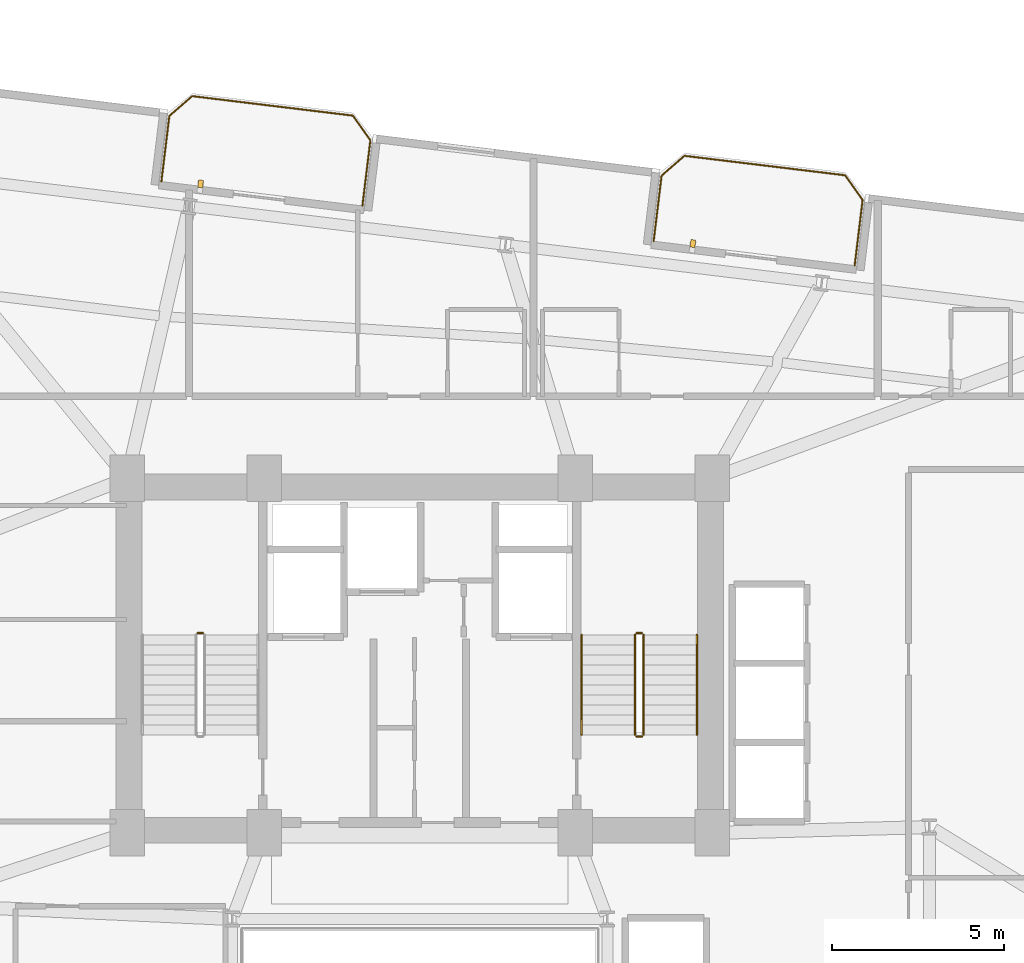
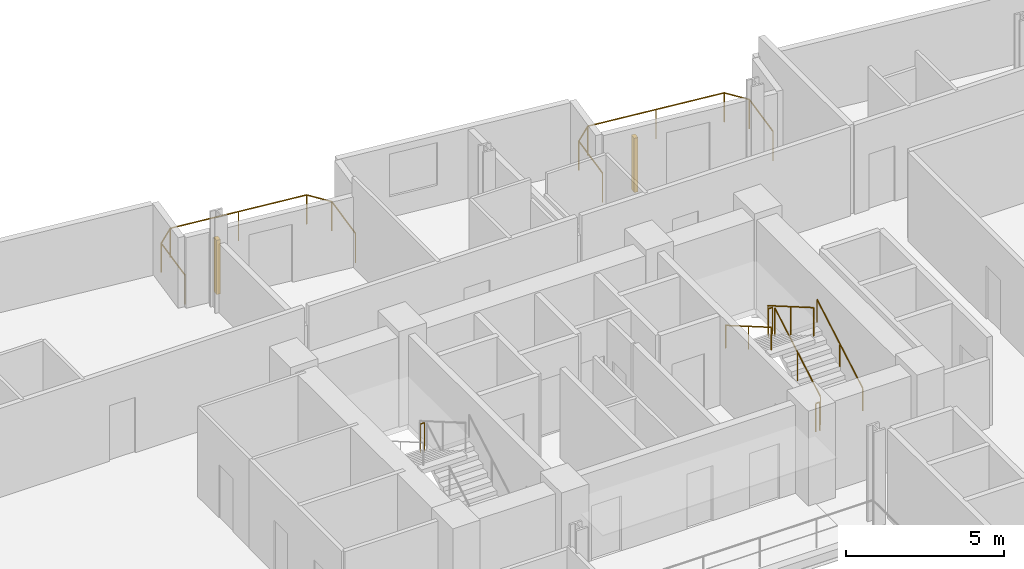
# One storey, part 26 of 26: 9 railings, 2 shading devices.
"""IFC4 building model written with IfcOpenShell, lengths in metres."""

from ifc_helpers import new_model, si_unit, direction, frame, origin, origin_2d, place, context, subcontext, project, spatial, rectangle, circle, extrude, source, transform, mapped, material, type_object, element, save


model = new_model("IFC4")

# Units and contexts
model_context = context("Model", 3, precision=1e-05, world=origin(), true_north=direction((0.0, 1.0)))
body_context = subcontext(model_context, "Body", "Model", "MODEL_VIEW")
ifc_project = project(units=[si_unit("LENGTHUNIT", "METRE"), si_unit("AREAUNIT", "SQUARE_METRE"), si_unit("VOLUMEUNIT", "CUBIC_METRE"), si_unit("PLANEANGLEUNIT", "RADIAN"), si_unit("MASSUNIT", "GRAM", prefix="KILO")], contexts=[model_context])

# Site, building, storey
site_placement = place(None, origin())
site = spatial("IfcSite", under=ifc_project, at=site_placement, CompositionType="ELEMENT")
building_placement = place(site_placement, origin())
building = spatial("IfcBuilding", under=site, at=building_placement, Name="Varnelok Gate Tower", CompositionType="ELEMENT")
storey_placement = place(building_placement, frame((0.0, 0.0, 129.10009765625)))
storey = spatial("IfcBuildingStorey", under=building, at=storey_placement, Name="L32", CompositionType="ELEMENT", Elevation=129.10009765625)

# Railings
ifc_material_1 = material(Name="Low-E Laminated Double Glazing IGU", Category="glass")
railing_type_1 = type_object("IfcRailingType", Name="RL-BALC-1150", PredefinedType="BALUSTRADE", material=ifc_material_1)
railing_1_placement = place(storey_placement, frame((31.697021484375, 47.66552734375, 0.0)))
element("IfcRailing", 1, at=railing_1_placement, inside=storey, type_object=railing_type_1, Name="L32 North Terrace Balustrade 3", PredefinedType="BALUSTRADE", context=body_context, shape_type="SweptSolid", body=[
    extrude(circle(Radius=0.02392578125, at=origin_2d()), frame((0.0, 0.0, 1.1259765625), z_axis=(0.120293392036, 0.992738384386, 0.0), x_axis=(-0.992738384386, 0.120293392036, 0.0)), (0.0, 0.0, 1.0), 1.919921875),
    extrude(circle(Radius=0.02392578125, at=origin_2d()), frame((0.23095703125, 1.906005859375, 1.1259765625), z_axis=(0.756422670136, 0.654083132411, 0.0), x_axis=(-0.654083132411, 0.756422670136, 0.0)), (0.0, 0.0, 1.0), 0.8779296875),
    extrude(circle(Radius=0.02392578125, at=origin_2d()), frame((0.89501953125, 2.480224609375, 1.1259765625), z_axis=(0.992730585037, -0.120357739811, 0.0), x_axis=(0.120357739811, 0.992730585037, 0.0)), (0.0, 0.0, 1.0), 4.699951171875),
    extrude(circle(Radius=0.02392578125, at=origin_2d()), frame((5.560791015625, 1.91455078125, 1.1259765625), z_axis=(0.578287426437, -0.81583310329, 0.0), x_axis=(0.81583310329, 0.578287426437, 0.0)), (0.0, 0.0, 1.0), 0.877685546875),
    extrude(circle(Radius=0.02392578125, at=origin_2d()), frame((6.068359375, 1.198486328125, 1.1259765625), z_axis=(-0.120418709125, -0.992723191274, 0.0), x_axis=(0.992723191274, -0.120418709125, 0.0)), (0.0, 0.0, 1.0), 1.919921875),
    extrude(circle(Radius=0.02099609375, at=origin_2d()), origin(), (0.0, 0.0, 1.0), 1.101806640625),
    extrude(circle(Radius=0.02099609375, at=origin_2d()), frame((0.23095703125, 1.906005859375, 0.0)), (0.0, 0.0, 1.0), 1.101806640625),
    extrude(circle(Radius=0.02099609375, at=origin_2d()), frame((0.89501953125, 2.480224609375, 0.0)), (0.0, 0.0, 1.0), 1.101806640625),
    extrude(circle(Radius=0.02099609375, at=origin_2d()), frame((3.22802734375, 2.197265625, 0.0)), (0.0, 0.0, 1.0), 1.101806640625),
    extrude(circle(Radius=0.02099609375, at=origin_2d()), frame((5.560791015625, 1.91455078125, 0.0)), (0.0, 0.0, 1.0), 1.101806640625),
    extrude(circle(Radius=0.02099609375, at=origin_2d()), frame((6.068359375, 1.198486328125, 0.0)), (0.0, 0.0, 1.0), 1.101806640625),
    extrude(circle(Radius=0.02099609375, at=origin_2d()), frame((5.837158203125, -0.70751953125, 0.0)), (0.0, 0.0, 1.0), 1.101806640625),
])
railing_2_placement = place(storey_placement, frame((45.992431640625, 45.9326171875, 0.0)))
element("IfcRailing", 2, at=railing_2_placement, inside=storey, type_object=railing_type_1, Name="L32 North Terrace Balustrade 4", PredefinedType="BALUSTRADE", context=body_context, shape_type="SweptSolid", body=[
    extrude(circle(Radius=0.02392578125, at=origin_2d()), frame((0.0, 0.0, 1.1259765625), z_axis=(0.120293392036, 0.992738384386, 0.0), x_axis=(-0.992738384386, 0.120293392036, 0.0)), (0.0, 0.0, 1.0), 1.919921875),
    extrude(circle(Radius=0.02392578125, at=origin_2d()), frame((0.23095703125, 1.906005859375, 1.1259765625), z_axis=(0.756422670136, 0.654083132411, 0.0), x_axis=(-0.654083132411, 0.756422670136, 0.0)), (0.0, 0.0, 1.0), 0.8779296875),
    extrude(circle(Radius=0.02392578125, at=origin_2d()), frame((0.89501953125, 2.480224609375, 1.1259765625), z_axis=(0.992730585037, -0.120357739811, 0.0), x_axis=(0.120357739811, 0.992730585037, 0.0)), (0.0, 0.0, 1.0), 4.699951171875),
    extrude(circle(Radius=0.02392578125, at=origin_2d()), frame((5.560791015625, 1.91455078125, 1.1259765625), z_axis=(0.57815621837, -0.815926091726, 0.0), x_axis=(0.815926091726, 0.57815621837, 0.0)), (0.0, 0.0, 1.0), 0.8779296875),
    extrude(circle(Radius=0.02392578125, at=origin_2d()), frame((6.068359375, 1.1982421875, 1.1259765625), z_axis=(-0.120418709125, -0.992723191274, 0.0), x_axis=(0.992723191274, -0.120418709125, 0.0)), (0.0, 0.0, 1.0), 1.919921875),
    extrude(circle(Radius=0.02099609375, at=origin_2d()), origin(), (0.0, 0.0, 1.0), 1.101806640625),
    extrude(circle(Radius=0.02099609375, at=origin_2d()), frame((0.23095703125, 1.906005859375, 0.0)), (0.0, 0.0, 1.0), 1.101806640625),
    extrude(circle(Radius=0.02099609375, at=origin_2d()), frame((0.89501953125, 2.480224609375, 0.0)), (0.0, 0.0, 1.0), 1.101806640625),
    extrude(circle(Radius=0.02099609375, at=origin_2d()), frame((3.22802734375, 2.197265625, 0.0)), (0.0, 0.0, 1.0), 1.101806640625),
    extrude(circle(Radius=0.02099609375, at=origin_2d()), frame((5.560791015625, 1.91455078125, 0.0)), (0.0, 0.0, 1.0), 1.101806640625),
    extrude(circle(Radius=0.02099609375, at=origin_2d()), frame((6.068359375, 1.1982421875, 0.0)), (0.0, 0.0, 1.0), 1.101806640625),
    extrude(circle(Radius=0.02099609375, at=origin_2d()), frame((5.837158203125, -0.707763671875, 0.0)), (0.0, 0.0, 1.0), 1.101806640625),
])
ifc_material_2 = material(Name="Brushed Stainless Steel AISI 316", Category="steel")
railing_type_2 = type_object("IfcRailingType", Name="RL-HANDRAIL-900", PredefinedType="HANDRAIL", material=ifc_material_2)
railing_3_placement = place(storey_placement, frame((47.25, 31.60009765625, 0.16796875)))
element("IfcRailing", 3, at=railing_3_placement, inside=storey, type_object=railing_type_2, Name="L32 ST-2 stair handrail 1", PredefinedType="HANDRAIL", context=body_context, shape_type="SweptSolid", body=[
    extrude(circle(Radius=0.02392578125, at=origin_2d()), frame((0.0, 0.0, 0.8759765625), z_axis=(0.0, 0.865038774852, 0.501705010941), x_axis=(-1.0, 0.0, 0.0)), (0.0, 0.0, 1.0), 3.352294921875),
    extrude(circle(Radius=0.02099609375, at=origin_2d()), origin(), (0.0, 0.0, 1.0), 0.851806640625),
    extrude(circle(Radius=0.02099609375, at=origin_2d()), frame((0.0, 1.449951171875, 0.8408203125)), (0.0, 0.0, 1.0), 0.851806640625),
    extrude(circle(Radius=0.02099609375, at=origin_2d()), frame((0.0, 2.89990234375, 1.681884765625)), (0.0, 0.0, 1.0), 0.851806640625),
])
railing_4_placement = place(storey_placement, frame((43.89990234375, 34.5, 2.01806640625)))
element("IfcRailing", 4, at=railing_4_placement, inside=storey, type_object=railing_type_2, Name="L32 ST-2 stair handrail 2", PredefinedType="HANDRAIL", context=body_context, shape_type="SweptSolid", body=[
    extrude(circle(Radius=0.02392578125, at=origin_2d()), frame((0.0, 0.0, 0.8759765625), z_axis=(0.0, -0.865038774852, 0.501705010941), x_axis=(1.0, 0.0, 0.0)), (0.0, 0.0, 1.0), 3.352294921875),
    extrude(circle(Radius=0.02099609375, at=origin_2d()), origin(), (0.0, 0.0, 1.0), 0.851806640625),
    extrude(circle(Radius=0.02099609375, at=origin_2d()), frame((0.0, -1.449951171875, 0.8408203125)), (0.0, 0.0, 1.0), 0.851806640625),
    extrude(circle(Radius=0.02099609375, at=origin_2d()), frame((0.0, -2.89990234375, 1.681884765625)), (0.0, 0.0, 1.0), 0.851806640625),
])
ifc_material_3 = material(Name="Galvanized Steel Grade S350GD", Category="steel")
railing_type_3 = type_object("IfcRailingType", Name="RL-STAIR-GUARD1120", PredefinedType="GUARDRAIL", material=ifc_material_3)
railing_5_placement = place(storey_placement, frame((32.89990234375, 34.550048828125, 1.849853515625)))
element("IfcRailing", 5, at=railing_5_placement, inside=storey, type_object=railing_type_3, Name="L32 ST-1 stair guard 2", PredefinedType="GUARDRAIL", context=body_context, shape_type="SweptSolid", body=[
    extrude(circle(Radius=0.02392578125, at=origin_2d()), frame((0.0, 0.0, 1.09619140625), z_axis=(-1.0, 0.0, 0.0), x_axis=(0.0, -1.0, 0.0)), (0.0, 0.0, 1.0), 0.14990234375),
    extrude(circle(Radius=0.02099609375, at=origin_2d()), origin(), (0.0, 0.0, 1.0), 1.072021484375),
    extrude(circle(Radius=0.02099609375, at=origin_2d()), frame((-0.14990234375, 0.0, 0.0)), (0.0, 0.0, 1.0), 1.072021484375),
])
railing_6_placement = place(storey_placement, frame((45.699951171875, 31.60009765625, 0.16796875)))
element("IfcRailing", 6, at=railing_6_placement, inside=storey, type_object=railing_type_3, Name="L32 ST-2 stair guard 1", PredefinedType="GUARDRAIL", context=body_context, shape_type="SweptSolid", body=[
    extrude(circle(Radius=0.02392578125, at=origin_2d()), frame((0.0, 0.0, 1.09619140625), z_axis=(0.0, 0.865038774852, 0.501705010941), x_axis=(-1.0, 0.0, 0.0)), (0.0, 0.0, 1.0), 3.352294921875),
    extrude(circle(Radius=0.02099609375, at=origin_2d()), origin(), (0.0, 0.0, 1.0), 1.072021484375),
    extrude(circle(Radius=0.02099609375, at=origin_2d()), frame((0.0, 1.449951171875, 0.8408203125)), (0.0, 0.0, 1.0), 1.072021484375),
    extrude(circle(Radius=0.02099609375, at=origin_2d()), frame((0.0, 2.89990234375, 1.681884765625)), (0.0, 0.0, 1.0), 1.072021484375),
])
railing_7_placement = place(storey_placement, frame((45.64990234375, 34.550048828125, 1.849853515625)))
element("IfcRailing", 7, at=railing_7_placement, inside=storey, type_object=railing_type_3, Name="L32 ST-2 stair guard 2", PredefinedType="GUARDRAIL", context=body_context, shape_type="SweptSolid", body=[
    extrude(circle(Radius=0.02392578125, at=origin_2d()), frame((0.0, 0.0, 1.09619140625), z_axis=(-1.0, 0.0, 0.0), x_axis=(0.0, -1.0, 0.0)), (0.0, 0.0, 1.0), 0.14990234375),
    extrude(circle(Radius=0.02099609375, at=origin_2d()), origin(), (0.0, 0.0, 1.0), 1.072021484375),
    extrude(circle(Radius=0.02099609375, at=origin_2d()), frame((-0.14990234375, 0.0, 0.0)), (0.0, 0.0, 1.0), 1.072021484375),
])
railing_8_placement = place(storey_placement, frame((45.449951171875, 34.5, 2.01806640625)))
element("IfcRailing", 8, at=railing_8_placement, inside=storey, type_object=railing_type_3, Name="L32 ST-2 stair guard 3", PredefinedType="GUARDRAIL", context=body_context, shape_type="SweptSolid", body=[
    extrude(circle(Radius=0.02392578125, at=origin_2d()), frame((0.0, 0.0, 1.09619140625), z_axis=(0.0, -0.865038774852, 0.501705010941), x_axis=(1.0, 0.0, 0.0)), (0.0, 0.0, 1.0), 3.352294921875),
    extrude(circle(Radius=0.02099609375, at=origin_2d()), origin(), (0.0, 0.0, 1.0), 1.072021484375),
    extrude(circle(Radius=0.02099609375, at=origin_2d()), frame((0.0, -1.449951171875, 0.8408203125)), (0.0, 0.0, 1.0), 1.072021484375),
    extrude(circle(Radius=0.02099609375, at=origin_2d()), frame((0.0, -2.89990234375, 1.681884765625)), (0.0, 0.0, 1.0), 1.072021484375),
])
railing_9_placement = place(storey_placement, frame((45.64990234375, 31.550048828125, 0.0)))
element("IfcRailing", 9, at=railing_9_placement, inside=storey, type_object=railing_type_3, Name="L32 ST-2 stair guard 4", PredefinedType="GUARDRAIL", context=body_context, shape_type="SweptSolid", body=[
    extrude(circle(Radius=0.02392578125, at=origin_2d()), frame((0.0, 0.0, 1.09619140625), z_axis=(-1.0, 0.0, 0.0), x_axis=(0.0, -1.0, 0.0)), (0.0, 0.0, 1.0), 0.14990234375),
    extrude(circle(Radius=0.02099609375, at=origin_2d()), origin(), (0.0, 0.0, 1.0), 1.072021484375),
    extrude(circle(Radius=0.02099609375, at=origin_2d()), frame((-0.14990234375, 0.0, 0.0)), (0.0, 0.0, 1.0), 1.072021484375),
])

# Shading devices
ifc_material_4 = material(Name="Glazed Architectural Terracotta Ceramic", Category="masonry")
shading_device_type = type_object("IfcShadingDeviceType", Name="SHD-TERRA-BAGUETTE", PredefinedType="USERDEFINED", material=ifc_material_4)
shared_shape = source(origin(), body_context, "Body", "SweptSolid", [
    extrude(rectangle(XDim=0.139892578125, YDim=0.219970703125, at=origin_2d()), origin(), (0.0, 0.0, 1.0), 2.10009765625),
])
for number, where, z_axis, x_axis, name in (
    (10, (32.837158203125, 47.597900390625, 0.099853515625), (0.0, 0.0, 1.0), (0.992732158755, -0.12034475881, 0.0), "L32 Terracotta Ceramic Baguette Sunscreen 3.1"),
    (11, (47.132568359375, 45.86474609375, 0.099853515625), (0.0, 0.0, 1.0), (0.992732158755, -0.12034475881, 0.0), "L32 Terracotta Ceramic Baguette Sunscreen 4.1"),
):
    element("IfcShadingDevice", number, at=place(storey_placement, frame(where, z_axis=z_axis, x_axis=x_axis)), inside=storey, type_object=shading_device_type, Name=name, ObjectType="BAGUETTE", PredefinedType="USERDEFINED", context=body_context, shape_type="MappedRepresentation", body=[
        mapped(shared_shape, transform((0.0, 0.0, 0.0), scale=1.0)),
    ])

save(model, "model.ifc")
